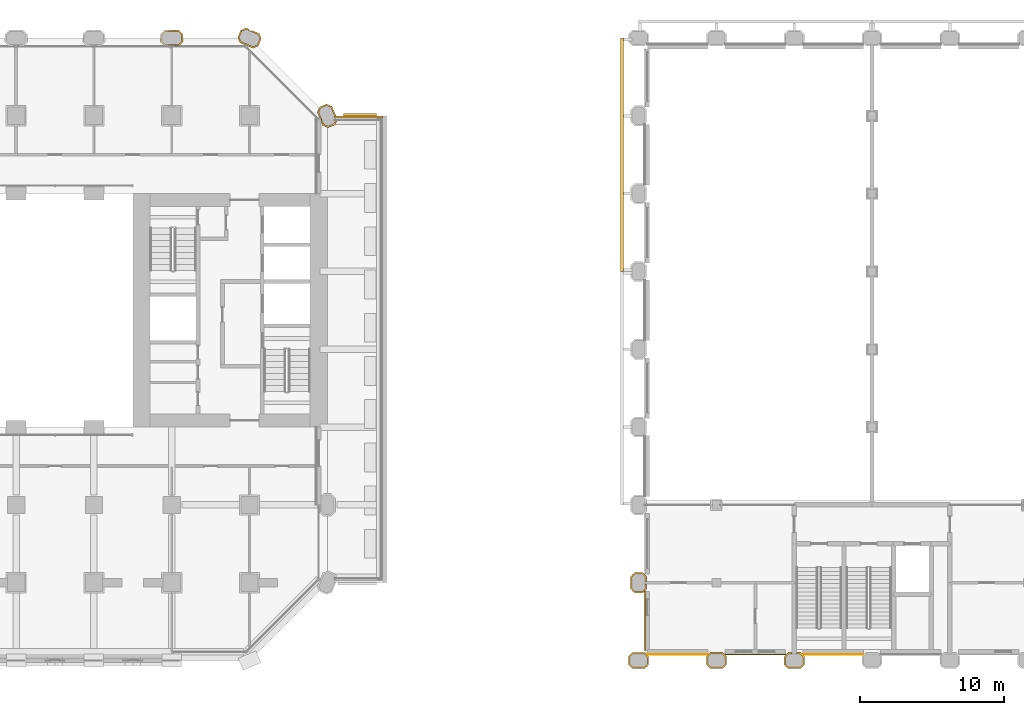
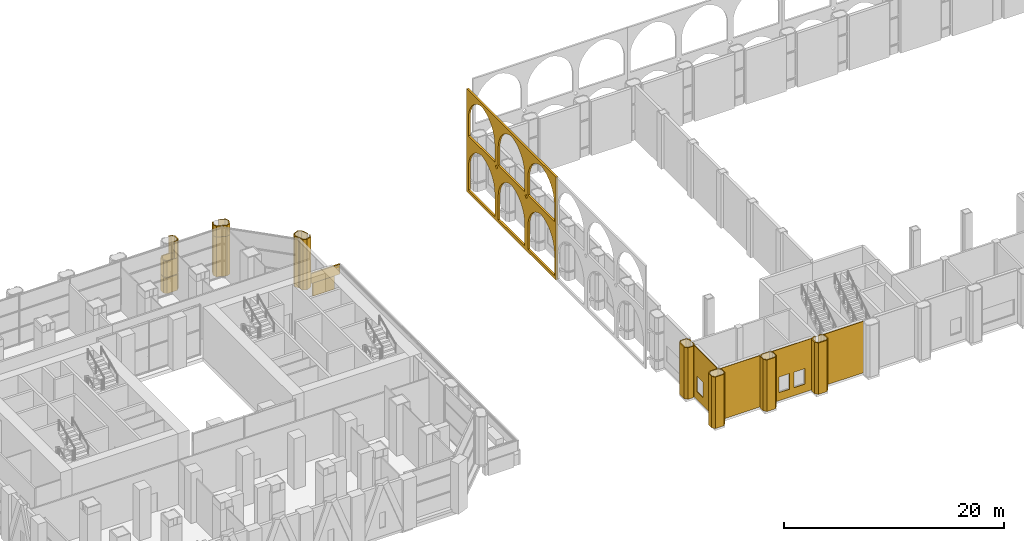
# One storey, part 28 of 34: 17 coverings.
"""IFC4 building model written with IfcOpenShell, lengths in metres."""

import ifcopenshell
import ifcopenshell.guid

model = None  # the IFC model being written
_history = None  # IfcOwnerHistory: only IFC2X3 demands one
_inside = {}  # id of a spatial element -> (the spatial element, [elements in it])
_under = {}  # id of a project, library or spatial element -> (it, [spatial elements below it])
_declared = {}  # id of a project -> (the project, [libraries it declares])
_typed = {}  # id of a type object -> (the type object, [elements of that type])
_made_of = {}  # id of a material, layer set ... -> (it, [elements and type objects made of it])


def new_model(schema):
    """Start an empty IFC model of exactly this schema.

    Asked for "IFC4X3", IfcOpenShell would pick the latest addendum, in which some entities
    have other attributes; the version numbers below select the first issue.
    IFC2X3 requires an IfcOwnerHistory on every rooted entity: one is made here for all.
    """
    global model, _history
    if schema == "IFC4X3":
        model = ifcopenshell.file(schema_version=(4, 3, 0, 0))
    else:
        model = ifcopenshell.file(schema=schema)
    _inside.clear()
    _under.clear()
    _declared.clear()
    _typed.clear()
    _made_of.clear()
    _history = None
    if model.schema == "IFC2X3":
        org = make("IfcOrganization", Name="unknown")
        user = make(
            "IfcPersonAndOrganization",
            ThePerson=make("IfcPerson", FamilyName="unknown"),
            TheOrganization=org,
        )
        app = make(
            "IfcApplication",
            ApplicationDeveloper=org,
            Version="unknown",
            ApplicationFullName="unknown",
            ApplicationIdentifier="unknown",
        )
        _history = make(
            "IfcOwnerHistory",
            OwningUser=user,
            OwningApplication=app,
            ChangeAction="ADDED",
            CreationDate=0,
        )
    return model


def make(cls, **values):
    """One entity of the class cls with the attributes given. An attribute that is None is left unset."""
    return model.create_entity(
        cls, **{name: value for name, value in values.items() if value is not None}
    )


def rooted(cls, **values):
    """An entity with a GlobalId (a new one), such as an element, a storey or a relation."""
    return make(cls, GlobalId=ifcopenshell.guid.new(), OwnerHistory=_history, **values)


def si_unit(unit_type, name, prefix=None):
    """IfcSIUnit, for example si_unit("LENGTHUNIT", "METRE", prefix="MILLI")."""
    return make("IfcSIUnit", UnitType=unit_type, Prefix=prefix, Name=name)


def assignment(units):
    """IfcUnitAssignment: the units of a project."""
    return None if units is None else make("IfcUnitAssignment", Units=units)


def point(xyz):
    """IfcCartesianPoint."""
    return None if xyz is None else make("IfcCartesianPoint", Coordinates=xyz)


def direction(xyz):
    """IfcDirection."""
    return None if xyz is None else make("IfcDirection", DirectionRatios=xyz)


def frame(location, z_axis=None, x_axis=None):
    """IfcAxis2Placement3D, a coordinate frame: its origin and axes. An axis left out is left unset."""
    return make(
        "IfcAxis2Placement3D",
        Location=point(location),
        Axis=direction(z_axis),
        RefDirection=direction(x_axis),
    )


def frame_2d(location, x_axis=None):
    """IfcAxis2Placement2D, a coordinate frame in the plane: its origin and x axis."""
    return make(
        "IfcAxis2Placement2D", Location=point(location), RefDirection=direction(x_axis)
    )


def origin():
    """The frame at (0, 0, 0) with its axes left unset."""
    return frame((0.0, 0.0, 0.0))


def place(relative_to, where):
    """IfcLocalPlacement: puts the frame where relative to a parent placement (None: the world)."""
    return make(
        "IfcLocalPlacement", PlacementRelTo=relative_to, RelativePlacement=where
    )


def context(
    kind, dimensions, precision=None, world=None, true_north=None, identifier=None
):
    """IfcGeometricRepresentationContext, for example the 3D "Model" context."""
    return make(
        "IfcGeometricRepresentationContext",
        ContextIdentifier=identifier,
        ContextType=kind,
        CoordinateSpaceDimension=dimensions,
        Precision=precision,
        WorldCoordinateSystem=world,
        TrueNorth=true_north,
    )


def subcontext(parent, identifier, kind, view, scale=None):
    """IfcGeometricRepresentationSubContext, for example "Body" below "Model"."""
    return make(
        "IfcGeometricRepresentationSubContext",
        ContextIdentifier=identifier,
        ContextType=kind,
        ParentContext=parent,
        TargetScale=scale,
        TargetView=view,
    )


def project(units=None, contexts=None):
    """IfcProject with its units and contexts."""
    return rooted(
        "IfcProject",
        Name="project",
        RepresentationContexts=contexts,
        UnitsInContext=assignment(units),
    )


def spatial(cls, under=None, at=None, **own):
    """A site, building, storey or space (cls), placed at a placement, below another one or the project."""
    s = rooted(cls, ObjectPlacement=at, **own)
    if under is not None:
        _under.setdefault(under.id(), (under, []))[1].append(s)
    return s


def polyline(points):
    """IfcPolyline through the points."""
    return make("IfcPolyline", Points=[point(p) for p in points])


def profile(cls, at=None, kind="AREA", **sizes):
    """A parametric profile (cls). Its sizes go by their IFC names, for example OverallWidth=200.0."""
    return make(cls, ProfileType=kind, Position=at, **sizes)


def rectangle(**sizes):
    """IfcRectangleProfileDef."""
    return profile("IfcRectangleProfileDef", **sizes)


def outline(outer, holes=None, kind="AREA"):
    """IfcArbitraryClosedProfileDef: a profile drawn as a closed curve; with holes, ...WithVoids."""
    if holes is None:
        return make("IfcArbitraryClosedProfileDef", ProfileType=kind, OuterCurve=outer)
    return make(
        "IfcArbitraryProfileDefWithVoids",
        ProfileType=kind,
        OuterCurve=outer,
        InnerCurves=holes,
    )


def extrude(swept, where, along, depth):
    """IfcExtrudedAreaSolid: the profile swept, set in the frame where, extruded along a direction by depth."""
    return make(
        "IfcExtrudedAreaSolid",
        SweptArea=swept,
        Position=where,
        ExtrudedDirection=direction(along),
        Depth=depth,
    )


def shape(context_of_items, identifier, shape_type, items):
    """IfcShapeRepresentation: the items that make up one representation, for example the "Body"."""
    return make(
        "IfcShapeRepresentation",
        ContextOfItems=context_of_items,
        RepresentationIdentifier=identifier,
        RepresentationType=shape_type,
        Items=items,
    )


def material(Name=None, Category=None):
    """IfcMaterial."""
    return make("IfcMaterial", Name=Name, Category=Category)


def layer(
    of_material, thickness, ventilated=None, Name=None, Category=None, Priority=None
):
    """IfcMaterialLayer: one layer of a wall or slab, of a material (None: an air gap)."""
    return make(
        "IfcMaterialLayer",
        Material=of_material,
        LayerThickness=thickness,
        IsVentilated=ventilated,
        Name=Name,
        Category=Category,
        Priority=Priority,
    )


def layer_set(layers, Name=None):
    """IfcMaterialLayerSet."""
    return make("IfcMaterialLayerSet", MaterialLayers=layers, LayerSetName=Name)


def made_of(thing, what):
    """Note that an element or type object is made of a material, layer set ...; save() writes the relation."""
    if what is not None:
        _made_of.setdefault(what.id(), (what, []))[1].append(thing)
    return thing


def type_object(cls, material=None, **own):
    """A type object (cls), such as IfcWallType, which elements share."""
    return made_of(rooted(cls, **own), material)


def element(
    cls,
    number,
    at=None,
    inside=None,
    cuts=None,
    type_object=None,
    material=None,
    context=None,
    identifier="Body",
    shape_type=None,
    held_by="IfcProductDefinitionShape",
    body=None,
    shapes=None,
    **own,
):
    """One element of the class cls, such as IfcWall. Its Tag is "e" and its number.

    at: its placement. inside: the storey or other place that contains it. cuts: it is an
    opening in that element (IfcRelVoidsElement). A single representation is given by context,
    identifier, shape_type and body (its items); several are given by shapes. held_by: the class
    of the entity that holds the representations. save() writes the other relations.
    """
    e = rooted(cls, Tag="e%d" % number, ObjectPlacement=at, **own)
    if body is not None:
        shapes = [shape(context, identifier, shape_type, body)]
    if shapes is not None:
        e.Representation = make(held_by, Representations=shapes)
    if inside is not None:
        _inside.setdefault(inside.id(), (inside, []))[1].append(e)
    if cuts is not None:
        rooted(
            "IfcRelVoidsElement", RelatingBuildingElement=cuts, RelatedOpeningElement=e
        )
    if type_object is not None:
        _typed.setdefault(type_object.id(), (type_object, []))[1].append(e)
    return made_of(e, material)


def aggregate(whole, parts):
    """IfcRelAggregates: a whole, such as a stair, and the parts it consists of."""
    return rooted("IfcRelAggregates", RelatingObject=whole, RelatedObjects=parts)


def save(model, path):
    """Write the relations noted so far, then the file.

    IfcRelAggregates (storeys below a building ...), IfcRelContainedInSpatialStructure (elements
    in a storey), IfcRelDefinesByType, IfcRelAssociatesMaterial and IfcRelDeclares: one each for
    every whole, place, type object, material and project.
    """
    for whole, parts in _under.values():
        aggregate(whole, parts)
    for where, things in _inside.values():
        rooted(
            "IfcRelContainedInSpatialStructure",
            RelatedElements=things,
            RelatingStructure=where,
        )
    for kind, things in _typed.values():
        rooted("IfcRelDefinesByType", RelatedObjects=things, RelatingType=kind)
    for what, things in _made_of.values():
        rooted("IfcRelAssociatesMaterial", RelatedObjects=things, RelatingMaterial=what)
    for by, libraries in _declared.values():
        rooted("IfcRelDeclares", RelatingContext=by, RelatedDefinitions=libraries)
    model.write(path)


model = new_model("IFC4")

# Units and contexts
model_context = context("Model", 3, precision=1e-05, world=origin(), true_north=direction((0.0, 1.0)))
body_context = subcontext(model_context, "Body", "Model", "MODEL_VIEW")
ifc_project = project(units=[si_unit("LENGTHUNIT", "METRE"), si_unit("AREAUNIT", "SQUARE_METRE"), si_unit("VOLUMEUNIT", "CUBIC_METRE"), si_unit("PLANEANGLEUNIT", "RADIAN"), si_unit("MASSUNIT", "GRAM", prefix="KILO")], contexts=[model_context])

# Site, building, storey
site_placement = place(None, origin())
site = spatial("IfcSite", under=ifc_project, at=site_placement, CompositionType="ELEMENT")
building_placement = place(site_placement, origin())
building = spatial("IfcBuilding", under=site, at=building_placement, Name="Tabaq Tower and Sports Hall", CompositionType="ELEMENT")
storey_placement = place(building_placement, frame((0.0, 0.0, 8.39990234375)))
storey = spatial("IfcBuildingStorey", under=building, at=storey_placement, Name="L01", CompositionType="ELEMENT", Elevation=8.39990234375)

# Coverings
ifc_material_1 = material(Name="Precast concrete C60/75", Category="concrete")
ifc_layer_1 = layer(ifc_material_1, 0.10009765625)
ifc_layer_set_1 = layer_set([ifc_layer_1], Name="Column cladding 100")
covering_type_1 = type_object("IfcCoveringType", Name="Column cladding 100", PredefinedType="CLADDING", material=ifc_layer_set_1)
covering_1_placement = place(storey_placement, origin())
element("IfcCovering", 1, at=covering_1_placement, inside=storey, type_object=covering_type_1, Name="Column cladding L01 HC-13A", PredefinedType="CLADDING", context=body_context, shape_type="SweptSolid", body=[
    extrude(outline(polyline([(64.100341796875, -0.291259765625), (64.100341796875, 0.291259765625), (64.358642578125, 0.5498046875), (65.2412109375, 0.5498046875), (65.499755859375, 0.291259765625), (65.499755859375, -0.291259765625), (65.2412109375, -0.5498046875), (64.358642578125, -0.5498046875), (64.100341796875, -0.291259765625)]), holes=[polyline([(65.2001953125, -0.4501953125), (65.400390625, -0.250244140625), (65.400390625, 0.250244140625), (65.2001953125, 0.4501953125), (64.39990234375, 0.4501953125), (64.19970703125, 0.250244140625), (64.19970703125, -0.250244140625), (64.39990234375, -0.4501953125), (65.2001953125, -0.4501953125)])]), origin(), (0.0, 0.0, 1.0), 5.7001953125),
])
covering_2_placement = place(storey_placement, origin())
element("IfcCovering", 2, at=covering_2_placement, inside=storey, type_object=covering_type_1, Name="Column cladding L01 HC-13B", PredefinedType="CLADDING", context=body_context, shape_type="SweptSolid", body=[
    extrude(outline(polyline([(64.5087890625, 4.7001953125), (64.250244140625, 4.958740234375), (64.250244140625, 5.84130859375), (64.5087890625, 6.099609375), (65.09130859375, 6.099609375), (65.349609375, 5.84130859375), (65.349609375, 5.500244140625), (65.250244140625, 5.500244140625), (65.250244140625, 5.800048828125), (65.050048828125, 6.000244140625), (64.5498046875, 6.000244140625), (64.349609375, 5.800048828125), (64.349609375, 4.999755859375), (64.5498046875, 4.7998046875), (65.050048828125, 4.7998046875), (65.250244140625, 4.999755859375), (65.250244140625, 5.2998046875), (65.349609375, 5.2998046875), (65.349609375, 4.958740234375), (65.09130859375, 4.7001953125), (64.5087890625, 4.7001953125)])), origin(), (0.0, 0.0, 1.0), 5.7001953125),
])
covering_3_placement = place(storey_placement, origin())
element("IfcCovering", 3, at=covering_3_placement, inside=storey, type_object=covering_type_1, Name="Column cladding L01 HC-14A", PredefinedType="CLADDING", context=body_context, shape_type="SweptSolid", body=[
    extrude(outline(polyline([(69.500244140625, -0.291259765625), (69.500244140625, 0.291259765625), (69.7587890625, 0.5498046875), (70.641357421875, 0.5498046875), (70.899658203125, 0.291259765625), (70.899658203125, -0.291259765625), (70.641357421875, -0.5498046875), (69.7587890625, -0.5498046875), (69.500244140625, -0.291259765625)]), holes=[polyline([(70.60009765625, -0.4501953125), (70.80029296875, -0.250244140625), (70.80029296875, 0.250244140625), (70.60009765625, 0.4501953125), (69.7998046875, 0.4501953125), (69.599609375, 0.250244140625), (69.599609375, -0.250244140625), (69.7998046875, -0.4501953125), (70.60009765625, -0.4501953125)])]), origin(), (0.0, 0.0, 1.0), 5.7001953125),
])
covering_4_placement = place(storey_placement, origin())
element("IfcCovering", 4, at=covering_4_placement, inside=storey, type_object=covering_type_1, Name="Column cladding L01 HC-15A", PredefinedType="CLADDING", context=body_context, shape_type="SweptSolid", body=[
    extrude(outline(polyline([(74.900390625, 0.291259765625), (75.15869140625, 0.5498046875), (75.44970703125, 0.5498046875), (75.44970703125, 0.4501953125), (75.199951171875, 0.4501953125), (74.999755859375, 0.250244140625), (74.999755859375, -0.250244140625), (75.199951171875, -0.4501953125), (76.000244140625, -0.4501953125), (76.2001953125, -0.250244140625), (76.2001953125, 0.250244140625), (76.000244140625, 0.4501953125), (75.750244140625, 0.4501953125), (75.750244140625, 0.5498046875), (76.041259765625, 0.5498046875), (76.2998046875, 0.291259765625), (76.2998046875, -0.291259765625), (76.041259765625, -0.5498046875), (75.15869140625, -0.5498046875), (74.900390625, -0.291259765625), (74.900390625, 0.291259765625)])), origin(), (0.0, 0.0, 1.0), 5.7001953125),
])
covering_5_placement = place(storey_placement, frame((0.0, 0.0, 0.1025390625)))
element("IfcCovering", 5, at=covering_5_placement, inside=storey, type_object=covering_type_1, Name="Column cladding L01 PC-7I-P", PredefinedType="CLADDING", context=body_context, shape_type="SweptSolid", body=[
    extrude(outline(polyline([(31.625244140625, 43.46630859375), (31.90869140625, 43.749755859375), (32.891357421875, 43.749755859375), (33.1748046875, 43.46630859375), (33.1748046875, 42.93359375), (32.931396484375, 42.690185546875), (31.86865234375, 42.690185546875), (31.625244140625, 42.93359375), (31.625244140625, 43.46630859375)]), holes=[polyline([(33.0751953125, 42.974853515625), (33.0751953125, 43.425048828125), (32.85009765625, 43.650390625), (31.949951171875, 43.650390625), (31.724609375, 43.425048828125), (31.724609375, 42.974853515625), (31.949951171875, 42.749755859375), (32.85009765625, 42.749755859375), (33.0751953125, 42.974853515625)])]), origin(), (0.0, 0.0, 1.0), 1.731689453125),
])
covering_6_placement = place(storey_placement, frame((0.0, 0.0, 1.899169921875)))
element("IfcCovering", 6, at=covering_6_placement, inside=storey, type_object=covering_type_1, Name="Column cladding L01 PC-7I-P 2", PredefinedType="CLADDING", context=body_context, shape_type="SweptSolid", body=[
    extrude(outline(polyline([(31.625244140625, 43.46630859375), (31.90869140625, 43.749755859375), (32.891357421875, 43.749755859375), (33.1748046875, 43.46630859375), (33.1748046875, 42.93359375), (32.931396484375, 42.690185546875), (31.86865234375, 42.690185546875), (31.625244140625, 42.93359375), (31.625244140625, 43.46630859375)]), holes=[polyline([(33.0751953125, 42.974853515625), (33.0751953125, 43.425048828125), (32.85009765625, 43.650390625), (31.949951171875, 43.650390625), (31.724609375, 43.425048828125), (31.724609375, 42.974853515625), (31.949951171875, 42.749755859375), (32.85009765625, 42.749755859375), (33.0751953125, 42.974853515625)])]), origin(), (0.0, 0.0, 1.0), 1.8017578125),
])
covering_7_placement = place(storey_placement, frame((0.0, 0.0, 3.700927734375)))
element("IfcCovering", 7, at=covering_7_placement, inside=storey, type_object=covering_type_1, Name="Column cladding L01 PC-7I-P head 2", PredefinedType="CLADDING", context=body_context, shape_type="SweptSolid", body=[
    extrude(outline(polyline([(32.891357421875, 43.749755859375), (33.1748046875, 43.46630859375), (33.1748046875, 42.93359375), (32.931396484375, 42.690185546875), (32.625244140625, 42.690185546875), (32.625244140625, 42.749755859375), (32.85009765625, 42.749755859375), (33.0751953125, 42.974853515625), (33.0751953125, 43.425048828125), (32.85009765625, 43.650390625), (32.625244140625, 43.650390625), (32.625244140625, 43.749755859375), (32.891357421875, 43.749755859375)])), origin(), (0.0, 0.0, 1.0), 1.899169921875),
])
covering_8_placement = place(storey_placement, origin())
element("IfcCovering", 8, at=covering_8_placement, inside=storey, type_object=covering_type_1, Name="Column cladding L01 PC-8I-P", PredefinedType="CLADDING", context=body_context, shape_type="SweptSolid", body=[
    extrude(outline(polyline([(38.413818359375, 42.657470703125), (38.04345703125, 42.504150390625), (37.614013671875, 42.68212890625), (37.614013671875, 42.690185546875), (37.593994140625, 42.690185546875), (37.1357421875, 42.880126953125), (36.982421875, 43.25048828125), (37.186279296875, 43.742431640625), (37.556396484375, 43.895751953125), (37.7998046875, 43.795166015625), (37.7998046875, 43.696533203125), (37.9501953125, 43.696533203125), (37.95166015625, 43.732177734375), (38.46435546875, 43.519775390625), (38.61767578125, 43.149658203125), (38.413818359375, 42.657470703125)]), holes=[polyline([(37.26220703125, 43.66650390625), (37.08984375, 43.25048828125), (37.2119140625, 42.956298828125), (38.04345703125, 42.61181640625), (38.337646484375, 42.733642578125), (38.510009765625, 43.149658203125), (38.38818359375, 43.44384765625), (37.556396484375, 43.788330078125), (37.26220703125, 43.66650390625)])]), origin(), (0.0, 0.0, 1.0), 4.400146484375),
])
covering_9_placement = place(storey_placement, frame((0.0, 0.0, 4.400146484375)))
element("IfcCovering", 9, at=covering_9_placement, inside=storey, type_object=covering_type_1, Name="Column cladding L01 PC-8I-P head", PredefinedType="CLADDING", context=body_context, shape_type="SweptSolid", body=[
    extrude(outline(polyline([(38.04345703125, 42.504150390625), (37.614013671875, 42.68212890625), (37.614013671875, 42.690185546875), (37.593994140625, 42.690185546875), (37.1357421875, 42.880126953125), (36.982421875, 43.25048828125), (37.186279296875, 43.742431640625), (37.19970703125, 43.748046875), (37.19970703125, 43.649658203125), (37.25537109375, 43.649658203125), (37.08984375, 43.25048828125), (37.2119140625, 42.956298828125), (38.04345703125, 42.61181640625), (38.337646484375, 42.733642578125), (38.510009765625, 43.149658203125), (38.38818359375, 43.44384765625), (37.80029296875, 43.687255859375), (37.80029296875, 43.696533203125), (37.9501953125, 43.696533203125), (37.95166015625, 43.732177734375), (38.46435546875, 43.519775390625), (38.61767578125, 43.149658203125), (38.413818359375, 42.657470703125), (38.04345703125, 42.504150390625)])), origin(), (0.0, 0.0, 1.0), 1.199951171875),
])
covering_10_placement = place(storey_placement, origin())
element("IfcCovering", 10, at=covering_10_placement, inside=storey, type_object=covering_type_1, Name="Column cladding L01 PC-9H-P", PredefinedType="CLADDING", context=body_context, shape_type="SweptSolid", body=[
    extrude(outline(polyline([(43.25048828125, 36.982421875), (42.880126953125, 37.1357421875), (42.750244140625, 37.44921875), (42.750244140625, 37.614013671875), (42.68212890625, 37.614013671875), (42.504150390625, 38.04345703125), (42.657470703125, 38.413818359375), (43.149658203125, 38.61767578125), (43.519775390625, 38.46435546875), (43.794921875, 37.80029296875), (43.69970703125, 37.80029296875), (43.69970703125, 37.770263671875), (43.44384765625, 38.38818359375), (43.149658203125, 38.510009765625), (42.733642578125, 38.337646484375), (42.61181640625, 38.04345703125), (42.956298828125, 37.2119140625), (43.25048828125, 37.08984375), (43.66650390625, 37.26220703125), (43.7607421875, 37.48974609375), (43.8681640625, 37.48974609375), (43.742431640625, 37.186279296875), (43.25048828125, 36.982421875)])), origin(), (0.0, 0.0, 1.0), 5.60009765625),
])
ifc_material_2 = material(Name="White precast concrete C60/75 pierced screen", Category="concrete")
ifc_layer_2 = layer(ifc_material_2, 0.199951171875)
ifc_layer_set_2 = layer_set([ifc_layer_2], Name="TRACERY SCREEN 200 C60/75")
covering_type_2 = type_object("IfcCoveringType", Name="TRACERY SCREEN 200 C60/75", PredefinedType="CLADDING", material=ifc_layer_set_2)
covering_11_placement = place(storey_placement, frame((63.64990234375, 27.0, 0.0), z_axis=(0.0, 0.0, 1.0), x_axis=(0.0, 1.0, 0.0)))
element("IfcCovering", 11, at=covering_11_placement, inside=storey, type_object=covering_type_2, Name="Tracery screen hall W 5", PredefinedType="CLADDING", context=body_context, shape_type="SweptSolid", body=[
    extrude(outline(polyline([(0.0, 0.0), (16.199951171875, 0.0), (16.199951171875, 11.400146484375), (0.0, 11.400146484375), (0.0, 0.0)]), holes=[polyline([(0.300048828125, 0.35009765625), (5.10009765625, 0.35009765625), (5.10009765625, 2.89013671875), (5.055419921875, 3.38623046875), (4.92333984375, 3.8662109375), (4.7080078125, 4.3154296875), (4.416015625, 4.71875), (4.05712890625, 5.06396484375), (3.642333984375, 5.339599609375), (3.18505859375, 5.537109375), (2.699951171875, 5.650146484375), (2.21484375, 5.537109375), (1.7578125, 5.339599609375), (1.343017578125, 5.06396484375), (0.98388671875, 4.71875), (0.69189453125, 4.3154296875), (0.4765625, 3.8662109375), (0.344482421875, 3.38623046875), (0.300048828125, 2.89013671875), (0.300048828125, 0.35009765625)]), polyline([(5.699951171875, 0.35009765625), (10.5, 0.35009765625), (10.5, 2.89013671875), (10.45556640625, 3.38623046875), (10.323486328125, 3.8662109375), (10.10791015625, 4.3154296875), (9.816162109375, 4.71875), (9.45703125, 5.06396484375), (9.042236328125, 5.339599609375), (8.5849609375, 5.537109375), (8.10009765625, 5.650146484375), (7.614990234375, 5.537109375), (7.15771484375, 5.339599609375), (6.742919921875, 5.06396484375), (6.384033203125, 4.71875), (6.092041015625, 4.3154296875), (5.87646484375, 3.8662109375), (5.744384765625, 3.38623046875), (5.699951171875, 2.89013671875), (5.699951171875, 0.35009765625)]), polyline([(11.10009765625, 0.35009765625), (15.89990234375, 0.35009765625), (15.89990234375, 2.89013671875), (15.85546875, 3.38623046875), (15.723388671875, 3.8662109375), (15.508056640625, 4.3154296875), (15.216064453125, 4.71875), (14.85693359375, 5.06396484375), (14.442138671875, 5.339599609375), (13.985107421875, 5.537109375), (13.5, 5.650146484375), (13.014892578125, 5.537109375), (12.557861328125, 5.339599609375), (12.14306640625, 5.06396484375), (11.783935546875, 4.71875), (11.491943359375, 4.3154296875), (11.276611328125, 3.8662109375), (11.14453125, 3.38623046875), (11.10009765625, 2.89013671875), (11.10009765625, 0.35009765625)]), polyline([(0.300048828125, 6.35009765625), (5.10009765625, 6.35009765625), (5.10009765625, 8.2900390625), (5.055419921875, 8.7861328125), (4.92333984375, 9.266357421875), (4.7080078125, 9.71533203125), (4.416015625, 10.118896484375), (4.05712890625, 10.4638671875), (3.642333984375, 10.73974609375), (3.18505859375, 10.937255859375), (2.699951171875, 11.050048828125), (2.21484375, 10.937255859375), (1.7578125, 10.73974609375), (1.343017578125, 10.4638671875), (0.98388671875, 10.118896484375), (0.69189453125, 9.71533203125), (0.4765625, 9.266357421875), (0.344482421875, 8.7861328125), (0.300048828125, 8.2900390625), (0.300048828125, 6.35009765625)]), polyline([(5.699951171875, 6.35009765625), (10.5, 6.35009765625), (10.5, 8.2900390625), (10.45556640625, 8.7861328125), (10.323486328125, 9.266357421875), (10.10791015625, 9.71533203125), (9.816162109375, 10.118896484375), (9.45703125, 10.4638671875), (9.042236328125, 10.73974609375), (8.5849609375, 10.937255859375), (8.10009765625, 11.050048828125), (7.614990234375, 10.937255859375), (7.15771484375, 10.73974609375), (6.742919921875, 10.4638671875), (6.384033203125, 10.118896484375), (6.092041015625, 9.71533203125), (5.87646484375, 9.266357421875), (5.744384765625, 8.7861328125), (5.699951171875, 8.2900390625), (5.699951171875, 6.35009765625)]), polyline([(11.10009765625, 6.35009765625), (15.89990234375, 6.35009765625), (15.89990234375, 8.2900390625), (15.85546875, 8.7861328125), (15.723388671875, 9.266357421875), (15.508056640625, 9.71533203125), (15.216064453125, 10.118896484375), (14.85693359375, 10.4638671875), (14.442138671875, 10.73974609375), (13.985107421875, 10.937255859375), (13.5, 11.050048828125), (13.014892578125, 10.937255859375), (12.557861328125, 10.73974609375), (12.14306640625, 10.4638671875), (11.783935546875, 10.118896484375), (11.491943359375, 9.71533203125), (11.276611328125, 9.266357421875), (11.14453125, 8.7861328125), (11.10009765625, 8.2900390625), (11.10009765625, 6.35009765625)]), polyline([(5.6201171875, 6.0), (5.39990234375, 6.22021484375), (5.179931640625, 6.0), (5.39990234375, 5.780029296875), (5.6201171875, 6.0)]), polyline([(11.02001953125, 6.0), (10.800048828125, 6.22021484375), (10.580078125, 6.0), (10.800048828125, 5.780029296875), (11.02001953125, 6.0)])]), frame((0.0, 0.10009765625, 0.0), z_axis=(0.0, -1.0, 0.0), x_axis=(1.0, 0.0, 0.0)), (0.0, 0.0, 1.0), 0.199951171875),
])
ifc_material_3 = material(Name="Precast concrete C60/75", Category="concrete")
ifc_layer_3 = layer(ifc_material_3, 0.14990234375)
ifc_layer_set_3 = layer_set([ifc_layer_3], Name="Tray fascia 1200")
covering_type_3 = type_object("IfcCoveringType", Name="Tray fascia 1200", PredefinedType="CLADDING", material=ifc_layer_set_3)
covering_12_placement = place(storey_placement, frame((44.320068359375, 37.875, -1.599853515625), z_axis=(0.0, 0.0, 1.0), x_axis=(1.0, 0.0, 0.0)))
element("IfcCovering", 12, at=covering_12_placement, inside=storey, type_object=covering_type_3, Name="Tray fascia L01 EBT", PredefinedType="CLADDING", context=body_context, shape_type="SweptSolid", body=[
    extrude(rectangle(XDim=2.280029296875, YDim=0.14990234375, at=frame_2d((1.14013671875, 0.0))), origin(), (0.0, 0.0, 1.0), 1.599853515625),
])
ifc_material_4 = material(Name="Precast concrete C60/75", Category="concrete")
ifc_layer_4 = layer(ifc_material_4, 0.14990234375)
ifc_layer_set_4 = layer_set([ifc_layer_4], Name="Tray upstand cladding 1100")
covering_type_4 = type_object("IfcCoveringType", Name="Tray upstand cladding 1100", PredefinedType="CLADDING", material=ifc_layer_set_4)
covering_13_placement = place(storey_placement, frame((43.699951171875, 37.72509765625, 0.0), z_axis=(0.0, 0.0, 1.0), x_axis=(1.0, 0.0, 0.0)))
element("IfcCovering", 13, at=covering_13_placement, inside=storey, type_object=covering_type_4, Name="Tray upstand cladding L01", PredefinedType="CLADDING", context=body_context, shape_type="SweptSolid", body=[
    extrude(rectangle(XDim=3.35009765625, YDim=0.14990234375, at=frame_2d((1.675048828125, 0.0))), origin(), (0.0, 0.0, 1.0), 1.10009765625),
])
ifc_material_5 = material(Name="Precast concrete C60/75", Category="concrete")
ifc_layer_5 = layer(ifc_material_5, 0.06005859375)
ifc_layer_set_5 = layer_set([ifc_layer_5], Name="White precast cladding panel 60 C60/75")
covering_type_5 = type_object("IfcCoveringType", Name="White precast cladding panel 60 C60/75", PredefinedType="CLADDING", material=ifc_layer_set_5)
covering_14_placement = place(storey_placement, frame((65.39990234375, 0.419921875, 0.0), z_axis=(0.0, 0.0, 1.0), x_axis=(1.0, 0.0, 0.0)))
element("IfcCovering", 14, at=covering_14_placement, inside=storey, type_object=covering_type_5, Name="White precast cladding panel L01 L01", PredefinedType="CLADDING", context=body_context, shape_type="SweptSolid", body=[
    extrude(rectangle(XDim=4.2001953125, YDim=0.06005859375, at=frame_2d((2.10009765625, 0.0))), origin(), (0.0, 0.0, 1.0), 5.7001953125),
])
covering_15_placement = place(storey_placement, frame((70.800048828125, 0.419921875, 0.0), z_axis=(0.0, 0.0, 1.0), x_axis=(1.0, 0.0, 0.0)))
element("IfcCovering", 15, at=covering_15_placement, inside=storey, type_object=covering_type_5, Name="White precast cladding panel L01 L01", PredefinedType="CLADDING", context=body_context, shape_type="SweptSolid", body=[
    extrude(outline(polyline([(0.0, 0.0), (4.199951171875, 0.0), (4.199951171875, 5.7001953125), (0.0, 5.7001953125), (0.0, 0.0)]), holes=[polyline([(0.739990234375, 2.610107421875), (1.860107421875, 2.610107421875), (1.860107421875, 0.89013671875), (0.739990234375, 0.89013671875), (0.739990234375, 2.610107421875)]), polyline([(2.340087890625, 2.610107421875), (3.4599609375, 2.610107421875), (3.4599609375, 0.89013671875), (2.340087890625, 0.89013671875), (2.340087890625, 2.610107421875)])]), frame((0.0, 0.030029296875, 0.0), z_axis=(0.0, -1.0, 0.0), x_axis=(1.0, 0.0, 0.0)), (0.0, 0.0, 1.0), 0.06005859375),
])
covering_16_placement = place(storey_placement, frame((76.199951171875, 0.419921875, 0.0), z_axis=(0.0, 0.0, 1.0), x_axis=(1.0, 0.0, 0.0)))
element("IfcCovering", 16, at=covering_16_placement, inside=storey, type_object=covering_type_5, Name="White precast cladding panel L01 L01", PredefinedType="CLADDING", context=body_context, shape_type="SweptSolid", body=[
    extrude(rectangle(XDim=4.199951171875, YDim=0.06005859375, at=frame_2d((2.10009765625, 0.0))), origin(), (0.0, 0.0, 1.0), 5.7001953125),
])
covering_17_placement = place(storey_placement, frame((65.219970703125, 0.699951171875, 0.0), z_axis=(0.0, 0.0, 1.0), x_axis=(0.0, 1.0, 0.0)))
element("IfcCovering", 17, at=covering_17_placement, inside=storey, type_object=covering_type_5, Name="White precast cladding panel L01 L01", PredefinedType="CLADDING", context=body_context, shape_type="SweptSolid", body=[
    extrude(outline(polyline([(0.0, 0.0), (4.10009765625, 0.0), (4.10009765625, 5.7001953125), (0.0, 5.7001953125), (0.0, 0.0)]), holes=[polyline([(2.43994140625, 0.89013671875), (2.43994140625, 2.610107421875), (3.56005859375, 2.610107421875), (3.56005859375, 0.89013671875), (2.43994140625, 0.89013671875)])]), frame((0.0, 0.030029296875, 0.0), z_axis=(0.0, -1.0, 0.0), x_axis=(1.0, 0.0, 0.0)), (0.0, 0.0, 1.0), 0.06005859375),
])

save(model, "model.ifc")
